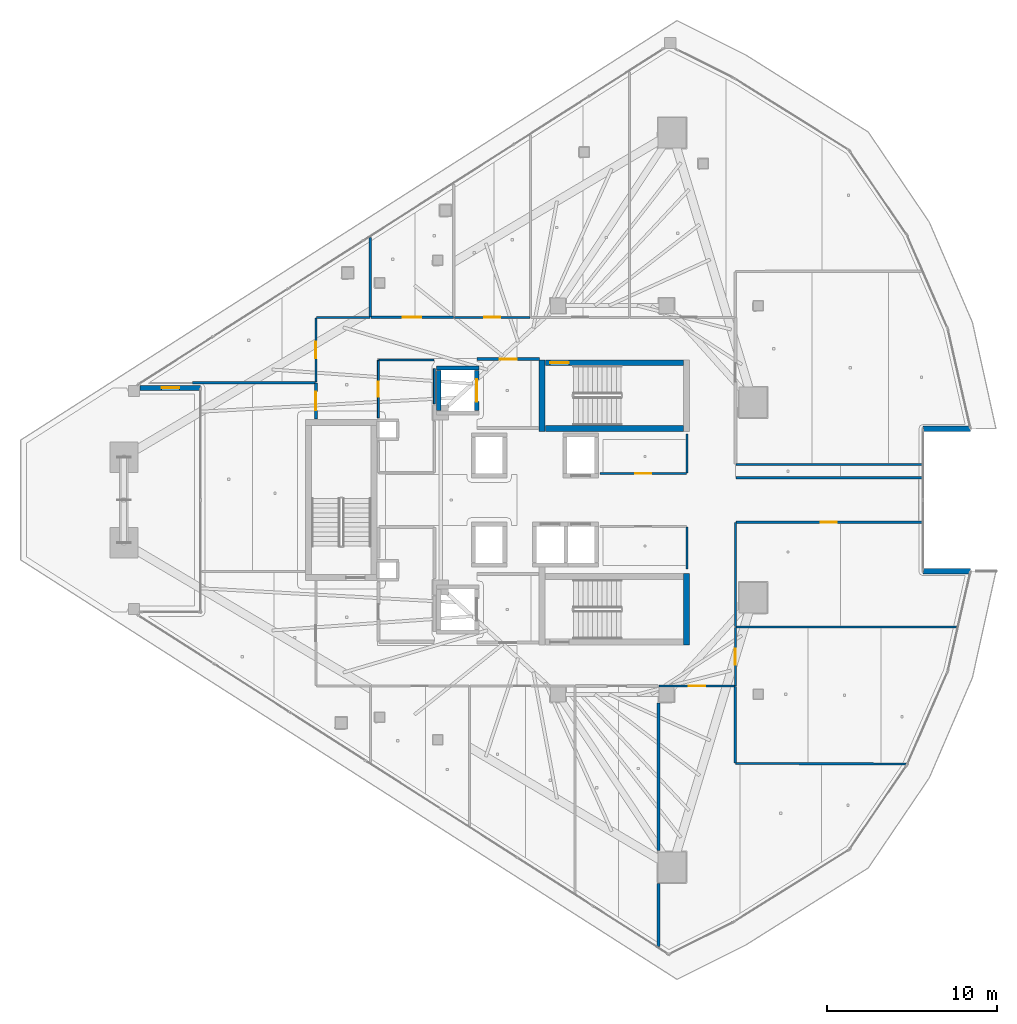
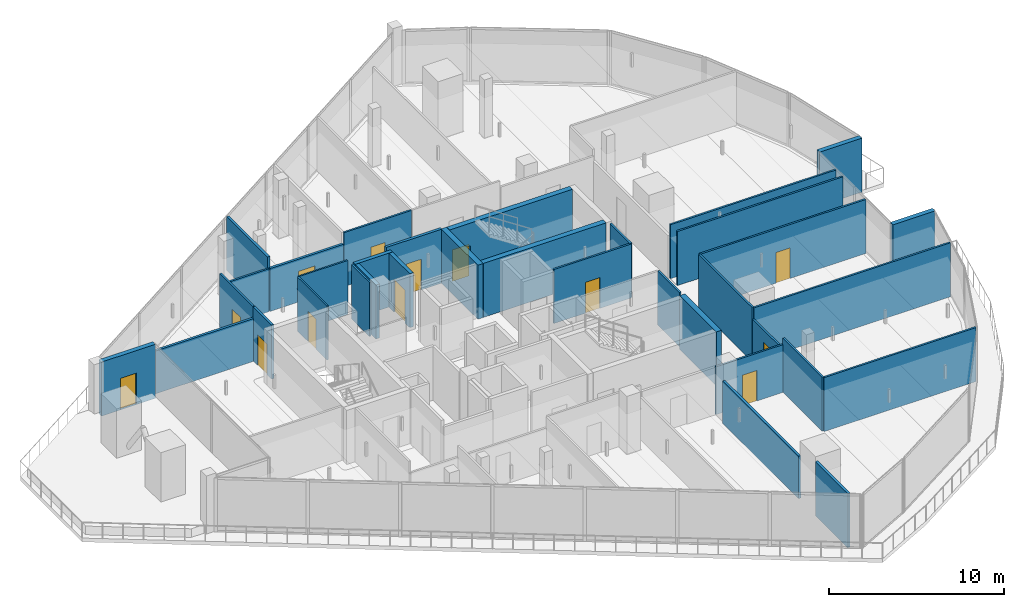
# One storey, part 27 of 36: 35 walls, 13 doors, 13 openings.
"""IFC4 building model written with IfcOpenShell, lengths in metres."""

from ifc_helpers import new_model, si_unit, direction, frame, frame_2d, origin, place, context, subcontext, project, spatial, rectangle, extrude, material, layer, layer_set, type_object, element, fill, save


model = new_model("IFC4")

# Units and contexts
model_context = context("Model", 3, precision=1e-05, world=origin(), true_north=direction((0.0, 1.0)))
body_context = subcontext(model_context, "Body", "Model", "MODEL_VIEW")
ifc_project = project(units=[si_unit("LENGTHUNIT", "METRE"), si_unit("AREAUNIT", "SQUARE_METRE"), si_unit("VOLUMEUNIT", "CUBIC_METRE"), si_unit("PLANEANGLEUNIT", "RADIAN"), si_unit("MASSUNIT", "GRAM", prefix="KILO")], contexts=[model_context])

# Site, building, storey
site_placement = place(None, origin())
site = spatial("IfcSite", under=ifc_project, at=site_placement, CompositionType="ELEMENT")
building_placement = place(site_placement, origin())
building = spatial("IfcBuilding", under=site, at=building_placement, Name="Qorvath Tower", CompositionType="ELEMENT")
storey_placement = place(building_placement, frame((0.0, 0.0, 229.35009765625)))
storey = spatial("IfcBuildingStorey", under=building, at=storey_placement, Name="L53", CompositionType="ELEMENT", Elevation=229.35009765625)

# Wall, opening, door
ifc_material_1 = material(Name="Gypsum shaftliner on steel studs", Category="steel")
ifc_layer_1 = layer(ifc_material_1, 0.179931640625)
ifc_layer_set_1 = layer_set([ifc_layer_1], Name="FW-LOBBY")
wall_type_1 = type_object("IfcWallType", Name="FW-LOBBY", PredefinedType="PARTITIONING", material=ifc_layer_set_1)
wall_1_placement = place(storey_placement, frame((-24.68408203125, 8.300048828125, 0.0), z_axis=(0.0, 0.0, 1.0), x_axis=(-1.0, 0.0, 0.0)))
wall_1 = element("IfcWall", 1, at=wall_1_placement, inside=storey, type_object=wall_type_1, Name="Interior Partition IW-T1-L53-002", PredefinedType="PARTITIONING", context=body_context, shape_type="SweptSolid", body=[
    extrude(rectangle(XDim=3.6708984375, YDim=0.179931640625, at=frame_2d((1.83544921875, 0.0))), origin(), (0.0, 0.0, 1.0), 3.77978515625),
])
opening_1_placement = place(wall_1_placement, frame((1.33544921875, 0.0, 0.0)))
opening_1 = element("IfcOpeningElement", 2, at=opening_1_placement, cuts=wall_1, Name="Opening D-T1-L53-19", PredefinedType="OPENING", context=body_context, shape_type="SweptSolid", body=[
    extrude(rectangle(XDim=1.0, YDim=2.14990234375, at=frame_2d((0.5, 1.074951171875))), frame((0.0, 0.10009765625, 0.0), z_axis=(0.0, -1.0, 0.0), x_axis=(1.0, 0.0, 0.0)), (0.0, 0.0, 1.0), 0.199951171875),
])
ifc_material_2 = material(Name="Painted galvanised hollow metal", Category="steel")
door_type_1 = type_object("IfcDoorType", Name="FD-60", OperationType="NOTDEFINED", PredefinedType="DOOR", material=ifc_material_2)
door_1_placement = place(opening_1_placement, origin())
door_1 = element("IfcDoor", 3, at=door_1_placement, inside=storey, type_object=door_type_1, Name="Lobby Fire Service Elevator North Door D-T1-L53-19", OperationType="SINGLE_SWING_RIGHT", OverallHeight=2.14990234375, OverallWidth=1.0, PredefinedType="DOOR", context=body_context, shape_type="SweptSolid", body=[
    extrude(rectangle(XDim=1.0, YDim=2.14990234375, at=frame_2d((0.5, 1.074951171875))), frame((0.0, 0.02490234375, 0.0), z_axis=(0.0, -1.0, 0.0), x_axis=(1.0, 0.0, 0.0)), (0.0, 0.0, 1.0), 0.050048828125),
])
fill(opening_1, door_1)

ifc_material_3 = material(Name="Double acoustic gypsum board on steel studs", Category="steel")
ifc_layer_2 = layer(ifc_material_3, 0.159912109375)
ifc_layer_set_2 = layer_set([ifc_layer_2], Name="IW-ACOUSTIC-160")
wall_type_2 = type_object("IfcWallType", Name="IW-ACOUSTIC-160", PredefinedType="PARTITIONING", material=ifc_layer_set_2)
wall_2_placement = place(storey_placement, frame((-34.625, 10.758056640625, 0.0), z_axis=(0.0, 0.0, 1.0), x_axis=(1.0, 0.0, 0.0)))
wall_2 = element("IfcWall", 4, at=wall_2_placement, inside=storey, type_object=wall_type_2, Name="Interior Partition IW-T1-L53-021", PredefinedType="PARTITIONING", context=body_context, shape_type="SweptSolid", body=[
    extrude(rectangle(XDim=4.861083984375, YDim=0.159912109375, at=frame_2d((2.4306640625, 0.0))), origin(), (0.0, 0.0, 1.0), 2.999755859375),
])
opening_2_placement = place(wall_2_placement, frame((1.880615234375, 0.0, 0.0)))
opening_2 = element("IfcOpeningElement", 5, at=opening_2_placement, cuts=wall_2, Name="Opening D-T1-L53-05", PredefinedType="OPENING", context=body_context, shape_type="SweptSolid", body=[
    extrude(rectangle(XDim=1.10009765625, YDim=2.14990234375, at=frame_2d((0.550048828125, 1.074951171875))), frame((0.0, 0.08984375, 0.0), z_axis=(0.0, -1.0, 0.0), x_axis=(1.0, 0.0, 0.0)), (0.0, 0.0, 1.0), 0.179931640625),
])
ifc_material_4 = material(Name="Anodised aluminium acoustic framed glass", Category="aluminium")
door_type_2 = type_object("IfcDoorType", Name="D-03", OperationType="NOTDEFINED", PredefinedType="DOOR", material=ifc_material_4)
door_2_placement = place(opening_2_placement, origin())
door_2 = element("IfcDoor", 6, at=door_2_placement, inside=storey, type_object=door_type_2, Name="L53-01 Client Services Office Door D-T1-L53-05", OperationType="SINGLE_SWING_RIGHT", OverallHeight=2.14990234375, OverallWidth=1.10009765625, PredefinedType="DOOR", context=body_context, shape_type="SweptSolid", body=[
    extrude(rectangle(XDim=1.10009765625, YDim=2.14990234375, at=frame_2d((0.550048828125, 1.074951171875))), frame((0.0, 0.02490234375, 0.0), z_axis=(0.0, -1.0, 0.0), x_axis=(1.0, 0.0, 0.0)), (0.0, 0.0, 1.0), 0.050048828125),
])
fill(opening_2, door_2)

# Walls
wall_3_placement = place(storey_placement, frame((-34.64990234375, 15.462158203125, 0.0), z_axis=(0.0, 0.0, 1.0), x_axis=(0.0, -1.0, 0.0)))
element("IfcWall", 7, at=wall_3_placement, inside=storey, type_object=wall_type_2, Name="Interior Partition IW-T1-L53-023", PredefinedType="PARTITIONING", context=body_context, shape_type="SweptSolid", body=[
    extrude(rectangle(XDim=4.678955078125, YDim=0.159912109375, at=frame_2d((2.33935546875, 0.0))), origin(), (0.0, 0.0, 1.0), 3.77978515625),
])
wall_4_placement = place(storey_placement, frame((-17.676025390625, -26.310791015625, 0.0), z_axis=(0.0, 0.0, 1.0), x_axis=(0.0, 1.0, 0.0)))
element("IfcWall", 8, at=wall_4_placement, inside=storey, type_object=wall_type_2, Name="Interior Partition IW-T1-L53-036", PredefinedType="PARTITIONING", context=body_context, shape_type="SweptSolid", body=[
    extrude(rectangle(XDim=3.71875, YDim=0.159912109375, at=frame_2d((1.859375, 0.0))), origin(), (0.0, 0.0, 1.0), 3.77978515625),
])
wall_5_placement = place(storey_placement, frame((-17.676025390625, -20.662109375, 0.0), z_axis=(0.0, 0.0, 1.0), x_axis=(0.0, 1.0, 0.0)))
element("IfcWall", 9, at=wall_5_placement, inside=storey, type_object=wall_type_2, Name="Interior Partition IW-T1-L53-037", PredefinedType="PARTITIONING", context=body_context, shape_type="SweptSolid", body=[
    extrude(rectangle(XDim=8.697021484375, YDim=0.159912109375, at=frame_2d((4.3486328125, 0.0))), origin(), (0.0, 0.0, 1.0), 2.976806640625),
])

# Wall, opening, door
wall_6_placement = place(storey_placement, frame((-37.85791015625, 4.783203125, 0.0), z_axis=(0.0, 0.0, 1.0), x_axis=(0.0, 1.0, 0.0)))
wall_6 = element("IfcWall", 10, at=wall_6_placement, inside=storey, type_object=wall_type_2, Name="Interior Partition IW-T1-L53-052", PredefinedType="PARTITIONING", context=body_context, shape_type="SweptSolid", body=[
    extrude(rectangle(XDim=2.102783203125, YDim=0.159912109375, at=frame_2d((1.05126953125, 0.0))), origin(), (0.0, 0.0, 1.0), 3.77978515625),
])
opening_3_placement = place(wall_6_placement, frame((0.50146484375, 0.0, 0.0)))
opening_3 = element("IfcOpeningElement", 11, at=opening_3_placement, cuts=wall_6, Name="Opening D-T1-L53-17", PredefinedType="OPENING", context=body_context, shape_type="SweptSolid", body=[
    extrude(rectangle(XDim=1.10009765625, YDim=2.14990234375, at=frame_2d((0.550048828125, 1.074951171875))), frame((0.0, 0.08984375, 0.0), z_axis=(0.0, -1.0, 0.0), x_axis=(1.0, 0.0, 0.0)), (0.0, 0.0, 1.0), 0.179931640625),
])
door_3_placement = place(opening_3_placement, origin())
door_3 = element("IfcDoor", 12, at=door_3_placement, inside=storey, type_object=door_type_2, Name="L53-13 Client Services Office Door D-T1-L53-17", OperationType="SINGLE_SWING_RIGHT", OverallHeight=2.14990234375, OverallWidth=1.10009765625, PredefinedType="DOOR", context=body_context, shape_type="SweptSolid", body=[
    extrude(rectangle(XDim=1.10009765625, YDim=2.14990234375, at=frame_2d((0.550048828125, 1.074951171875))), frame((0.0, 0.02490234375, 0.0), z_axis=(0.0, -1.0, 0.0), x_axis=(1.0, 0.0, 0.0)), (0.0, 0.0, 1.0), 0.050048828125),
])
fill(opening_3, door_3)

# Wall
wall_7_placement = place(storey_placement, frame((-37.8828125, 6.910888671875, 0.0), z_axis=(0.0, 0.0, 1.0), x_axis=(-1.0, 0.0, 0.0)))
element("IfcWall", 13, at=wall_7_placement, inside=storey, type_object=wall_type_2, Name="Interior Partition IW-T1-L53-053", PredefinedType="PARTITIONING", context=body_context, shape_type="SweptSolid", body=[
    extrude(rectangle(XDim=7.231201171875, YDim=0.159912109375, at=frame_2d((3.61572265625, 0.0))), origin(), (0.0, 0.0, 1.0), 2.999755859375),
])

# Wall, opening, door
ifc_material_5 = material(Name="Gypsum board on metal studs with mineral wool", Category="gypsum")
ifc_layer_3 = layer(ifc_material_5, 0.125)
ifc_layer_set_3 = layer_set([ifc_layer_3], Name="IW-PART-125")
wall_type_3 = type_object("IfcWallType", Name="IW-PART-125", PredefinedType="PARTITIONING", material=ifc_layer_set_3)
wall_8_placement = place(storey_placement, frame((-21.1337890625, 1.56005859375, 0.0), z_axis=(0.0, 0.0, 1.0), x_axis=(1.0, 0.0, 0.0)))
wall_8 = element("IfcWall", 14, at=wall_8_placement, inside=storey, type_object=wall_type_3, Name="Interior Partition IW-T1-L53-011", PredefinedType="PARTITIONING", context=body_context, shape_type="SweptSolid", body=[
    extrude(rectangle(XDim=5.10888671875, YDim=0.125, at=frame_2d((2.554443359375, 0.0))), origin(), (0.0, 0.0, 1.0), 3.77978515625),
])
opening_4_placement = place(wall_8_placement, frame((2.079345703125, 0.0, 0.0)))
opening_4 = element("IfcOpeningElement", 15, at=opening_4_placement, cuts=wall_8, Name="Opening D-T1-L53-02", PredefinedType="OPENING", context=body_context, shape_type="SweptSolid", body=[
    extrude(rectangle(XDim=0.949951171875, YDim=2.14990234375, at=frame_2d((0.47509765625, 1.074951171875))), frame((0.0, 0.072509765625, 0.0), z_axis=(0.0, -1.0, 0.0), x_axis=(1.0, 0.0, 0.0)), (0.0, 0.0, 1.0), 0.14501953125),
])
ifc_material_6 = material(Name="Solid-core American white oak veneer", Category="wood")
door_type_3 = type_object("IfcDoorType", Name="D-01", OperationType="NOTDEFINED", PredefinedType="DOOR", material=ifc_material_6)
door_4_placement = place(opening_4_placement, origin())
door_4 = element("IfcDoor", 16, at=door_4_placement, inside=storey, type_object=door_type_3, Name="L53-RCN North Quantitative Server Suite Door D-T1-L53-02", OperationType="SINGLE_SWING_LEFT", OverallHeight=2.14990234375, OverallWidth=0.949951171875, PredefinedType="DOOR", context=body_context, shape_type="SweptSolid", body=[
    extrude(rectangle(XDim=0.949951171875, YDim=2.14990234375, at=frame_2d((0.47509765625, 1.074951171875))), frame((0.0, 0.02490234375, 0.0), z_axis=(0.0, -1.0, 0.0), x_axis=(1.0, 0.0, 0.0)), (0.0, 0.0, 1.0), 0.050048828125),
])
fill(opening_4, door_4)

# Walls
wall_9_placement = place(storey_placement, frame((-16.0, 1.585205078125, 0.0), z_axis=(0.0, 0.0, 1.0), x_axis=(0.0, 1.0, 0.0)))
element("IfcWall", 17, at=wall_9_placement, inside=storey, type_object=wall_type_3, Name="Interior Partition IW-T1-L53-012", PredefinedType="PARTITIONING", context=body_context, shape_type="SweptSolid", body=[
    extrude(rectangle(XDim=2.30224609375, YDim=0.125, at=frame_2d((1.151123046875, 0.0))), origin(), (0.0, 0.0, 1.0), 3.77978515625),
])
wall_10_placement = place(storey_placement, frame((-16.0, -4.0751953125, 0.0), z_axis=(0.0, 0.0, 1.0), x_axis=(0.0, 1.0, 0.0)))
element("IfcWall", 18, at=wall_10_placement, inside=storey, type_object=wall_type_3, Name="Interior Partition IW-T1-L53-013", PredefinedType="PARTITIONING", context=body_context, shape_type="SweptSolid", body=[
    extrude(rectangle(XDim=2.489990234375, YDim=0.125, at=frame_2d((1.2451171875, 0.0))), origin(), (0.0, 0.0, 1.0), 3.77978515625),
])

# Wall, opening, door
wall_11_placement = place(storey_placement, frame((-29.7060546875, 10.758056640625, 0.0), z_axis=(0.0, 0.0, 1.0), x_axis=(1.0, 0.0, 0.0)))
wall_11 = element("IfcWall", 19, at=wall_11_placement, inside=storey, type_object=wall_type_3, Name="Interior Partition IW-T1-L53-024", PredefinedType="PARTITIONING", context=body_context, shape_type="SweptSolid", body=[
    extrude(rectangle(XDim=4.46826171875, YDim=0.125, at=frame_2d((2.234130859375, 0.0))), origin(), (0.0, 0.0, 1.0), 3.77978515625),
])
opening_5_placement = place(wall_11_placement, frame((1.759033203125, 0.0, 0.0)))
opening_5 = element("IfcOpeningElement", 20, at=opening_5_placement, cuts=wall_11, Name="Opening D-T1-L53-06", PredefinedType="OPENING", context=body_context, shape_type="SweptSolid", body=[
    extrude(rectangle(XDim=0.949951171875, YDim=2.14990234375, at=frame_2d((0.47509765625, 1.074951171875))), frame((0.0, 0.072509765625, 0.0), z_axis=(0.0, -1.0, 0.0), x_axis=(1.0, 0.0, 0.0)), (0.0, 0.0, 1.0), 0.14501953125),
])
door_5_placement = place(opening_5_placement, origin())
door_5 = element("IfcDoor", 21, at=door_5_placement, inside=storey, type_object=door_type_3, Name="L53-02 Project Collaboration Workspace Door D-T1-L53-06", OperationType="SINGLE_SWING_LEFT", OverallHeight=2.14990234375, OverallWidth=0.949951171875, PredefinedType="DOOR", context=body_context, shape_type="SweptSolid", body=[
    extrude(rectangle(XDim=0.949951171875, YDim=2.14990234375, at=frame_2d((0.47509765625, 1.074951171875))), frame((0.0, 0.02490234375, 0.0), z_axis=(0.0, -1.0, 0.0), x_axis=(1.0, 0.0, 0.0)), (0.0, 0.0, 1.0), 0.050048828125),
])
fill(opening_5, door_5)

# Walls
wall_12_placement = place(storey_placement, frame((-3.08837890625, -15.545166015625, 0.0), z_axis=(0.0, 0.0, 1.0), x_axis=(-0.999998671921, 0.001629771613, 0.0)))
element("IfcWall", 22, at=wall_12_placement, inside=storey, type_object=wall_type_3, Name="Interior Partition IW-T1-L53-039", PredefinedType="PARTITIONING", context=body_context, shape_type="SweptSolid", body=[
    extrude(rectangle(XDim=10.03662109375, YDim=0.125, at=frame_2d((5.018310546875, 0.0))), origin(), (0.0, 0.0, 1.0), 3.77978515625),
])
wall_13_placement = place(storey_placement, frame((-13.14990234375, -10.98291015625, 0.0), z_axis=(0.0, 0.0, 1.0), x_axis=(0.0, -1.0, 0.0)))
element("IfcWall", 23, at=wall_13_placement, inside=storey, type_object=wall_type_3, Name="Interior Partition IW-T1-L53-040", PredefinedType="PARTITIONING", context=body_context, shape_type="SweptSolid", body=[
    extrude(rectangle(XDim=4.52099609375, YDim=0.125, at=frame_2d((2.260498046875, 0.0))), origin(), (0.0, 0.0, 1.0), 3.77978515625),
])

# Wall, opening, door
wall_14_placement = place(storey_placement, frame((-13.1748046875, -10.9580078125, 0.0), z_axis=(0.0, 0.0, 1.0), x_axis=(-1.0, 0.0, 0.0)))
wall_14 = element("IfcWall", 24, at=wall_14_placement, inside=storey, type_object=wall_type_3, Name="Interior Partition IW-T1-L53-041", PredefinedType="PARTITIONING", context=body_context, shape_type="SweptSolid", body=[
    extrude(rectangle(XDim=4.46826171875, YDim=0.125, at=frame_2d((2.234130859375, 0.0))), origin(), (0.0, 0.0, 1.0), 3.343994140625),
])
opening_6_placement = place(wall_14_placement, frame((1.759033203125, 0.0, 0.0)))
opening_6 = element("IfcOpeningElement", 25, at=opening_6_placement, cuts=wall_14, Name="Opening D-T1-L53-12", PredefinedType="OPENING", context=body_context, shape_type="SweptSolid", body=[
    extrude(rectangle(XDim=0.949951171875, YDim=2.14990234375, at=frame_2d((0.47509765625, 1.074951171875))), frame((0.0, 0.072509765625, 0.0), z_axis=(0.0, -1.0, 0.0), x_axis=(1.0, 0.0, 0.0)), (0.0, 0.0, 1.0), 0.14501953125),
])
door_6_placement = place(opening_6_placement, origin())
door_6 = element("IfcDoor", 26, at=door_6_placement, inside=storey, type_object=door_type_3, Name="L53-08 Quantitative Research Studio Door D-T1-L53-12", OperationType="SINGLE_SWING_LEFT", OverallHeight=2.14990234375, OverallWidth=0.949951171875, PredefinedType="DOOR", context=body_context, shape_type="SweptSolid", body=[
    extrude(rectangle(XDim=0.949951171875, YDim=2.14990234375, at=frame_2d((0.47509765625, 1.074951171875))), frame((0.0, 0.02490234375, 0.0), z_axis=(0.0, -1.0, 0.0), x_axis=(1.0, 0.0, 0.0)), (0.0, 0.0, 1.0), 0.050048828125),
])
fill(opening_6, door_6)

# Wall
wall_15_placement = place(storey_placement, frame((-0.114990234375, -7.480712890625, 0.0), z_axis=(0.0, 0.0, 1.0), x_axis=(-1.0, 0.0, 0.0)))
element("IfcWall", 27, at=wall_15_placement, inside=storey, type_object=wall_type_3, Name="Interior Partition IW-T1-L53-042", PredefinedType="PARTITIONING", context=body_context, shape_type="SweptSolid", body=[
    extrude(rectangle(XDim=13.002197265625, YDim=0.125, at=frame_2d((6.5009765625, 0.0))), origin(), (0.0, 0.0, 1.0), 3.77978515625),
])

# Wall, opening, door
wall_16_placement = place(storey_placement, frame((-13.14208984375, -7.505615234375, 0.0), z_axis=(0.0, 0.0, 1.0), x_axis=(0.0, -1.0, 0.0)))
wall_16 = element("IfcWall", 28, at=wall_16_placement, inside=storey, type_object=wall_type_3, Name="Interior Partition IW-T1-L53-043", PredefinedType="PARTITIONING", context=body_context, shape_type="SweptSolid", body=[
    extrude(rectangle(XDim=3.452392578125, YDim=0.125, at=frame_2d((1.72607421875, 0.0))), origin(), (0.0, 0.0, 1.0), 2.999755859375),
])
opening_7_placement = place(wall_16_placement, frame((1.251220703125, 0.0, 0.0)))
opening_7 = element("IfcOpeningElement", 29, at=opening_7_placement, cuts=wall_16, Name="Opening D-T1-L53-13", PredefinedType="OPENING", context=body_context, shape_type="SweptSolid", body=[
    extrude(rectangle(XDim=0.949951171875, YDim=2.14990234375, at=frame_2d((0.47509765625, 1.074951171875))), frame((0.0, 0.072509765625, 0.0), z_axis=(0.0, -1.0, 0.0), x_axis=(1.0, 0.0, 0.0)), (0.0, 0.0, 1.0), 0.14501953125),
])
door_7_placement = place(opening_7_placement, origin())
door_7 = element("IfcDoor", 30, at=door_7_placement, inside=storey, type_object=door_type_3, Name="L53-09 Engineering Documentation Suite Door D-T1-L53-13", OperationType="SINGLE_SWING_RIGHT", OverallHeight=2.14990234375, OverallWidth=0.949951171875, PredefinedType="DOOR", context=body_context, shape_type="SweptSolid", body=[
    extrude(rectangle(XDim=0.949951171875, YDim=2.14990234375, at=frame_2d((0.47509765625, 1.074951171875))), frame((0.0, 0.02490234375, 0.0), z_axis=(0.0, -1.0, 0.0), x_axis=(1.0, 0.0, 0.0)), (0.0, 0.0, 1.0), 0.050048828125),
])
fill(opening_7, door_7)

# Walls
for number, where, z_axis, x_axis, name in (
    (31, (-2.16455078125, 2.095458984375, 0.0), (0.0, 0.0, 1.0), (-1.0, 0.0, 0.0), "Interior Partition IW-T1-L53-044"),
    (32, (-2.16455078125, 1.30810546875, 0.0), (0.0, 0.0, 1.0), (-1.0, 0.0, 0.0), "Interior Partition IW-T1-L53-045"),
):
    element("IfcWall", number, at=place(storey_placement, frame(where, z_axis=z_axis, x_axis=x_axis)), inside=storey, type_object=wall_type_3, Name=name, PredefinedType="PARTITIONING", context=body_context, shape_type="SweptSolid", body=[
        extrude(rectangle(XDim=10.95263671875, YDim=0.125, at=frame_2d((5.476318359375, 0.0))), origin(), (0.0, 0.0, 1.0), 3.77978515625),
    ])

# Wall, opening, door
wall_17_placement = place(storey_placement, frame((-2.16455078125, -1.30810546875, 0.0), z_axis=(0.0, 0.0, 1.0), x_axis=(-1.0, 0.0, 0.0)))
wall_17 = element("IfcWall", 33, at=wall_17_placement, inside=storey, type_object=wall_type_3, Name="Interior Partition IW-T1-L53-046", PredefinedType="PARTITIONING", context=body_context, shape_type="SweptSolid", body=[
    extrude(rectangle(XDim=10.95263671875, YDim=0.125, at=frame_2d((5.476318359375, 0.0))), origin(), (0.0, 0.0, 1.0), 3.77978515625),
])
opening_8_placement = place(wall_17_placement, frame((5.001220703125, 0.0, 0.0)))
opening_8 = element("IfcOpeningElement", 34, at=opening_8_placement, cuts=wall_17, Name="Opening D-T1-L53-14", PredefinedType="OPENING", context=body_context, shape_type="SweptSolid", body=[
    extrude(rectangle(XDim=0.949951171875, YDim=2.14990234375, at=frame_2d((0.47509765625, 1.074951171875))), frame((0.0, 0.072509765625, 0.0), z_axis=(0.0, -1.0, 0.0), x_axis=(1.0, 0.0, 0.0)), (0.0, 0.0, 1.0), 0.14501953125),
])
door_8_placement = place(opening_8_placement, origin())
door_8 = element("IfcDoor", 35, at=door_8_placement, inside=storey, type_object=door_type_3, Name="L53-10 Open Workplace Studio Door D-T1-L53-14", OperationType="SINGLE_SWING_LEFT", OverallHeight=2.14990234375, OverallWidth=0.949951171875, PredefinedType="DOOR", context=body_context, shape_type="SweptSolid", body=[
    extrude(rectangle(XDim=0.949951171875, YDim=2.14990234375, at=frame_2d((0.47509765625, 1.074951171875))), frame((0.0, 0.02490234375, 0.0), z_axis=(0.0, -1.0, 0.0), x_axis=(1.0, 0.0, 0.0)), (0.0, 0.0, 1.0), 0.050048828125),
])
fill(opening_8, door_8)

# Wall
wall_18_placement = place(storey_placement, frame((-13.14208984375, -1.3330078125, 0.0), z_axis=(0.0, 0.0, 1.0), x_axis=(0.0, -1.0, 0.0)))
element("IfcWall", 36, at=wall_18_placement, inside=storey, type_object=wall_type_3, Name="Interior Partition IW-T1-L53-047", PredefinedType="PARTITIONING", context=body_context, shape_type="SweptSolid", body=[
    extrude(rectangle(XDim=6.114990234375, YDim=0.125, at=frame_2d((3.0576171875, 0.0))), origin(), (0.0, 0.0, 1.0), 3.77978515625),
])

# Wall, opening, door
wall_19_placement = place(storey_placement, frame((-37.85791015625, 6.943603515625, 0.0), z_axis=(0.0, 0.0, 1.0), x_axis=(0.0, 1.0, 0.0)))
wall_19 = element("IfcWall", 37, at=wall_19_placement, inside=storey, type_object=wall_type_3, Name="Interior Partition IW-T1-L53-054", PredefinedType="PARTITIONING", context=body_context, shape_type="SweptSolid", body=[
    extrude(rectangle(XDim=3.78955078125, YDim=0.125, at=frame_2d((1.894775390625, 0.0))), origin(), (0.0, 0.0, 1.0), 3.77978515625),
])
opening_9_placement = place(wall_19_placement, frame((1.419921875, 0.0, 0.0)))
opening_9 = element("IfcOpeningElement", 38, at=opening_9_placement, cuts=wall_19, Name="Opening D-T1-L53-18", PredefinedType="OPENING", context=body_context, shape_type="SweptSolid", body=[
    extrude(rectangle(XDim=0.949951171875, YDim=2.14990234375, at=frame_2d((0.47509765625, 1.074951171875))), frame((0.0, 0.072509765625, 0.0), z_axis=(0.0, -1.0, 0.0), x_axis=(1.0, 0.0, 0.0)), (0.0, 0.0, 1.0), 0.14501953125),
])
door_9_placement = place(opening_9_placement, origin())
door_9 = element("IfcDoor", 39, at=door_9_placement, inside=storey, type_object=door_type_3, Name="L53-14 Project Collaboration Workspace Door D-T1-L53-18", OperationType="SINGLE_SWING_LEFT", OverallHeight=2.14990234375, OverallWidth=0.949951171875, PredefinedType="DOOR", context=body_context, shape_type="SweptSolid", body=[
    extrude(rectangle(XDim=0.949951171875, YDim=2.14990234375, at=frame_2d((0.47509765625, 1.074951171875))), frame((0.0, 0.02490234375, 0.0), z_axis=(0.0, -1.0, 0.0), x_axis=(1.0, 0.0, 0.0)), (0.0, 0.0, 1.0), 0.050048828125),
])
fill(opening_9, door_9)

# Walls
wall_20_placement = place(storey_placement, frame((-34.68310546875, 10.758056640625, 0.0), z_axis=(0.0, 0.0, 1.0), x_axis=(-1.0, 0.0, 0.0)))
element("IfcWall", 40, at=wall_20_placement, inside=storey, type_object=wall_type_3, Name="Interior Partition IW-T1-L53-055", PredefinedType="PARTITIONING", context=body_context, shape_type="SweptSolid", body=[
    extrude(rectangle(XDim=3.14990234375, YDim=0.125, at=frame_2d((1.574951171875, 0.0))), origin(), (0.0, 0.0, 1.0), 2.999755859375),
])
ifc_material_7 = material(Name="Moisture-resistant cement board on metal studs", Category="gypsum")
ifc_layer_4 = layer(ifc_material_7, 0.110107421875)
ifc_layer_set_4 = layer_set([ifc_layer_4], Name="IW-WC-110")
wall_type_4 = type_object("IfcWallType", Name="IW-WC-110", PredefinedType="PARTITIONING", material=ifc_layer_set_4)
wall_21_placement = place(storey_placement, frame((-30.8798828125, 5.6650390625, 0.0), z_axis=(0.0, 0.0, 1.0), x_axis=(0.0, 1.0, 0.0)))
element("IfcWall", 41, at=wall_21_placement, inside=storey, type_object=wall_type_4, Name="Interior Partition IW-T1-L53-007", PredefinedType="PARTITIONING", context=body_context, shape_type="SweptSolid", body=[
    extrude(rectangle(XDim=2.077880859375, YDim=0.110107421875, at=frame_2d((1.0390625, 0.0))), origin(), (0.0, 0.0, 1.0), 3.77978515625),
])
wall_22_placement = place(storey_placement, frame((-30.90478515625, 8.25, 0.0), z_axis=(0.0, 0.0, 1.0), x_axis=(-1.0, 0.0, 0.0)))
element("IfcWall", 42, at=wall_22_placement, inside=storey, type_object=wall_type_4, Name="Interior Partition IW-T1-L53-008", PredefinedType="PARTITIONING", context=body_context, shape_type="SweptSolid", body=[
    extrude(rectangle(XDim=3.25, YDim=0.110107421875, at=frame_2d((1.625, 0.0))), origin(), (0.0, 0.0, 1.0), 3.77978515625),
])

# Wall, opening, door
wall_23_placement = place(storey_placement, frame((-34.179931640625, 8.22509765625, 0.0), z_axis=(0.0, 0.0, 1.0), x_axis=(0.0, -1.0, 0.0)))
wall_23 = element("IfcWall", 43, at=wall_23_placement, inside=storey, type_object=wall_type_4, Name="Interior Partition IW-T1-L53-009", PredefinedType="PARTITIONING", context=body_context, shape_type="SweptSolid", body=[
    extrude(rectangle(XDim=3.385009765625, YDim=0.110107421875, at=frame_2d((1.6923828125, 0.0))), origin(), (0.0, 0.0, 1.0), 3.77978515625),
])
opening_10_placement = place(wall_23_placement, frame((1.25244140625, 0.0, 0.0)))
opening_10 = element("IfcOpeningElement", 44, at=opening_10_placement, cuts=wall_23, Name="Opening D-T1-L53-01", PredefinedType="OPENING", context=body_context, shape_type="SweptSolid", body=[
    extrude(rectangle(XDim=0.8798828125, YDim=2.10009765625, at=frame_2d((0.43994140625, 1.050048828125))), frame((0.0, 0.06494140625, 0.0), z_axis=(0.0, -1.0, 0.0), x_axis=(1.0, 0.0, 0.0)), (0.0, 0.0, 1.0), 0.130126953125),
])
ifc_material_8 = material(Name="Solid-core oak with acoustic drop seal", Category="wood")
door_type_4 = type_object("IfcDoorType", Name="D-02", OperationType="NOTDEFINED", PredefinedType="DOOR", material=ifc_material_8)
door_10_placement = place(opening_10_placement, origin())
door_10 = element("IfcDoor", 45, at=door_10_placement, inside=storey, type_object=door_type_4, Name="Accessible WC North L53 Door D-T1-L53-01", OperationType="SINGLE_SWING_RIGHT", OverallHeight=2.10009765625, OverallWidth=0.8798828125, PredefinedType="DOOR", context=body_context, shape_type="SweptSolid", body=[
    extrude(rectangle(XDim=0.8798828125, YDim=2.10009765625, at=frame_2d((0.43994140625, 1.050048828125))), frame((0.0, 0.02490234375, 0.0), z_axis=(0.0, -1.0, 0.0), x_axis=(1.0, 0.0, 0.0)), (0.0, 0.0, 1.0), 0.050048828125),
])
fill(opening_10, door_10)

# Walls
ifc_material_9 = material(Name="Concrete C60/75", Category="concrete")
ifc_layer_5 = layer(ifc_material_9, 0.260009765625)
ifc_layer_set_5 = layer_set([ifc_layer_5], Name="SW-SHAFT")
wall_type_5 = type_object("IfcWallType", Name="SW-SHAFT", PredefinedType="SHEAR", material=ifc_layer_set_5)
wall_24_placement = place(storey_placement, frame((-30.739990234375, 7.77001953125, 0.0), z_axis=(0.0, 0.0, 1.0), x_axis=(1.0, 0.0, 0.0)))
element("IfcWall", 46, at=wall_24_placement, inside=storey, type_object=wall_type_5, Name="Hoistway Wall FSAE-1 L53 N", PredefinedType="SHEAR", context=body_context, shape_type="SweptSolid", body=[
    extrude(rectangle(XDim=2.47998046875, YDim=0.239990234375, at=frame_2d((1.239990234375, 0.0))), origin(), (0.0, 0.0, 1.0), 3.77978515625),
])
wall_25_placement = place(storey_placement, frame((-30.6201171875, 5.261962890625, 0.0), z_axis=(0.0, 0.0, 1.0), x_axis=(0.0, 1.0, 0.0)))
element("IfcWall", 47, at=wall_25_placement, inside=storey, type_object=wall_type_5, Name="Hoistway Wall FSAE-1 L53 W", PredefinedType="SHEAR", context=body_context, shape_type="SweptSolid", body=[
    extrude(rectangle(XDim=2.3759765625, YDim=0.239990234375, at=frame_2d((1.18798828125, 0.0))), origin(), (0.0, 0.0, 1.0), 3.77978515625),
])

# Wall, opening, door
wall_26_placement = place(storey_placement, frame((-28.3798828125, 7.637939453125, 0.0), z_axis=(0.0, 0.0, 1.0), x_axis=(0.0, -1.0, 0.0)))
wall_26 = element("IfcWall", 48, at=wall_26_placement, inside=storey, type_object=wall_type_5, Name="Hoistway Wall FSAE-1 L53 E", PredefinedType="SHEAR", context=body_context, shape_type="SweptSolid", body=[
    extrude(rectangle(XDim=2.3759765625, YDim=0.239990234375, at=frame_2d((1.18798828125, 0.0))), origin(), (0.0, 0.0, 1.0), 3.77978515625),
])
opening_11_placement = place(wall_26_placement, frame((0.537841796875, 0.0, 0.0)))
opening_11 = element("IfcOpeningElement", 49, at=opening_11_placement, cuts=wall_26, Name="Opening LD-FSAE-1-L53", PredefinedType="OPENING", context=body_context, shape_type="SweptSolid", body=[
    extrude(rectangle(XDim=1.300048828125, YDim=2.300048828125, at=frame_2d((0.64990234375, 1.14990234375))), frame((0.0, 0.1298828125, 0.0), z_axis=(0.0, -1.0, 0.0), x_axis=(1.0, 0.0, 0.0)), (0.0, 0.0, 1.0), 0.260009765625),
])
ifc_material_10 = material(Name="Brushed stainless steel AISI 316", Category="steel")
door_type_5 = type_object("IfcDoorType", Name="LD-02", OperationType="NOTDEFINED", PredefinedType="DOOR", material=ifc_material_10)
door_11_placement = place(opening_11_placement, origin())
door_11 = element("IfcDoor", 50, at=door_11_placement, inside=storey, type_object=door_type_5, Name="Elevator Landing Sliding Door LD-FSAE-1-L53", OperationType="DOUBLE_DOOR_SLIDING", OverallHeight=2.300048828125, OverallWidth=1.300048828125, PredefinedType="DOOR", context=body_context, shape_type="SweptSolid", body=[
    extrude(rectangle(XDim=1.300048828125, YDim=2.300048828125, at=frame_2d((0.64990234375, 1.14990234375))), frame((0.0, 0.02490234375, 0.0), z_axis=(0.0, -1.0, 0.0), x_axis=(1.0, 0.0, 0.0)), (0.0, 0.0, 1.0), 0.050048828125),
])
fill(opening_11, door_11)

# Walls
ifc_material_11 = material(Name="Concrete C60/75", Category="concrete")
ifc_layer_6 = layer(ifc_material_11, 0.35009765625)
ifc_layer_set_6 = layer_set([ifc_layer_6], Name="SW-STAIR")
wall_type_6 = type_object("IfcWallType", Name="SW-STAIR", PredefinedType="SHEAR", material=ifc_layer_set_6)
wall_27_placement = place(storey_placement, frame((-24.52490234375, 8.260009765625, 0.0), z_axis=(0.0, 0.0, 1.0), x_axis=(0.0, -1.0, 0.0)))
element("IfcWall", 51, at=wall_27_placement, inside=storey, type_object=wall_type_6, Name="Stair TS1 Shear Wall L53 NEAR", PredefinedType="SHEAR", context=body_context, shape_type="SweptSolid", body=[
    extrude(rectangle(XDim=4.2099609375, YDim=0.35009765625, at=frame_2d((2.10498046875, 0.0))), origin(), (0.0, 0.0, 1.0), 3.77978515625),
])
wall_28_placement = place(storey_placement, frame((-24.3349609375, 4.22509765625, 0.0), z_axis=(0.0, 0.0, 1.0), x_axis=(1.0, 0.0, 0.0)))
element("IfcWall", 52, at=wall_28_placement, inside=storey, type_object=wall_type_6, Name="Stair TS1 Shear Wall L53 LEFT", PredefinedType="SHEAR", context=body_context, shape_type="SweptSolid", body=[
    extrude(rectangle(XDim=8.119873046875, YDim=0.35009765625, at=frame_2d((4.06005859375, 0.0))), origin(), (0.0, 0.0, 1.0), 3.77978515625),
])

# Wall, opening, door
wall_29_placement = place(storey_placement, frame((-16.215087890625, 8.0849609375, 0.0), z_axis=(0.0, 0.0, 1.0), x_axis=(-1.0, 0.0, 0.0)))
wall_29 = element("IfcWall", 53, at=wall_29_placement, inside=storey, type_object=wall_type_6, Name="Stair TS1 Shear Wall L53 RIGHT", PredefinedType="SHEAR", context=body_context, shape_type="SweptSolid", body=[
    extrude(rectangle(XDim=8.119873046875, YDim=0.35009765625, at=frame_2d((4.06005859375, 0.0))), origin(), (0.0, 0.0, 1.0), 3.77978515625),
])
opening_12_placement = place(wall_29_placement, frame((6.739990234375, 0.0, 0.0)))
opening_12 = element("IfcOpeningElement", 54, at=opening_12_placement, cuts=wall_29, Name="Opening D-TS1-L53", PredefinedType="OPENING", context=body_context, shape_type="SweptSolid", body=[
    extrude(rectangle(XDim=1.10009765625, YDim=2.199951171875, at=frame_2d((0.550048828125, 1.10009765625))), frame((0.0, 0.18505859375, 0.0), z_axis=(0.0, -1.0, 0.0), x_axis=(1.0, 0.0, 0.0)), (0.0, 0.0, 1.0), 0.3701171875),
])
ifc_material_12 = material(Name="Painted galvanised hollow metal", Category="steel")
door_type_6 = type_object("IfcDoorType", Name="FD-90", OperationType="NOTDEFINED", PredefinedType="DOOR", material=ifc_material_12)
door_12_placement = place(opening_12_placement, origin())
door_12 = element("IfcDoor", 55, at=door_12_placement, inside=storey, type_object=door_type_6, Name="Stair TS1 Fire Door L53", OperationType="SINGLE_SWING_RIGHT", OverallHeight=2.199951171875, OverallWidth=1.10009765625, PredefinedType="DOOR", context=body_context, shape_type="SweptSolid", body=[
    extrude(rectangle(XDim=1.10009765625, YDim=2.199951171875, at=frame_2d((0.550048828125, 1.10009765625))), frame((0.0, 0.02490234375, 0.0), z_axis=(0.0, -1.0, 0.0), x_axis=(1.0, 0.0, 0.0)), (0.0, 0.0, 1.0), 0.050048828125),
])
fill(opening_12, door_12)

# Wall
wall_30_placement = place(storey_placement, frame((-16.02490234375, -8.550048828125, 0.0), z_axis=(0.0, 0.0, 1.0), x_axis=(0.0, 1.0, 0.0)))
element("IfcWall", 56, at=wall_30_placement, inside=storey, type_object=wall_type_6, Name="Stair TS2 Shear Wall L53 FAR", PredefinedType="SHEAR", context=body_context, shape_type="SweptSolid", body=[
    extrude(rectangle(XDim=4.2099609375, YDim=0.35009765625, at=frame_2d((2.10498046875, 0.0))), origin(), (0.0, 0.0, 1.0), 3.77978515625),
])

# Wall, opening, door
ifc_material_13 = material(Name="Precast concrete C45/55", Category="concrete")
ifc_layer_7 = layer(ifc_material_13, 0.300048828125)
ifc_layer_set_7 = layer_set([ifc_layer_7], Name="WL-EW-LOG-300")
wall_type_7 = type_object("IfcWallType", Name="WL-EW-LOG-300", PredefinedType="SOLIDWALL", material=ifc_layer_set_7)
wall_31_placement = place(storey_placement, frame((-48.20849609375, 6.6044921875, 0.0), z_axis=(0.0, 0.0, 1.0), x_axis=(1.0, 0.0, 0.0)))
wall_31 = element("IfcWall", 57, at=wall_31_placement, inside=storey, type_object=wall_type_7, Name="Tower Precast Loggia Wall L53-1.1", PredefinedType="SOLIDWALL", context=body_context, shape_type="SweptSolid", body=[
    extrude(rectangle(XDim=3.560546875, YDim=0.300048828125, at=frame_2d((1.7802734375, 0.0))), origin(), (0.0, 0.0, 1.0), 3.77978515625),
])
opening_13_placement = place(wall_31_placement, frame((1.25537109375, 0.0, 0.0)))
opening_13 = element("IfcOpeningElement", 58, at=opening_13_placement, cuts=wall_31, Name="Opening ED-L53-01", PredefinedType="OPENING", context=body_context, shape_type="SweptSolid", body=[
    extrude(rectangle(XDim=1.050048828125, YDim=2.199951171875, at=frame_2d((0.52490234375, 1.10009765625))), frame((0.0, 0.16015625, 0.0), z_axis=(0.0, -1.0, 0.0), x_axis=(1.0, 0.0, 0.0)), (0.0, 0.0, 1.0), 0.320068359375),
])
ifc_material_14 = material(Name="Thermally broken aluminium glazed door", Category="aluminium")
door_type_7 = type_object("IfcDoorType", Name="ED-LOG", OperationType="NOTDEFINED", PredefinedType="DOOR", material=ifc_material_14)
door_13_placement = place(opening_13_placement, origin())
door_13 = element("IfcDoor", 59, at=door_13_placement, inside=storey, type_object=door_type_7, Name="L53 Recessed Loggia Access Door 1", OperationType="SINGLE_SWING_RIGHT", OverallHeight=2.199951171875, OverallWidth=1.050048828125, PredefinedType="DOOR", context=body_context, shape_type="SweptSolid", body=[
    extrude(rectangle(XDim=1.050048828125, YDim=2.199951171875, at=frame_2d((0.52490234375, 1.10009765625))), frame((0.0, 0.02490234375, 0.0), z_axis=(0.0, -1.0, 0.0), x_axis=(1.0, 0.0, 0.0)), (0.0, 0.0, 1.0), 0.050048828125),
])
fill(opening_13, door_13)

# Walls
for number, where, z_axis, x_axis, name in (
    (60, (0.712646484375, -4.19580078125, 0.0), (0.0, 0.0, 1.0), (-1.0, 0.0, 0.0), "Tower Precast Loggia Wall L53-10.1"),
    (61, (-2.08447265625, 4.19580078125, 0.0), (0.0, 0.0, 1.0), (1.0, 0.0, 0.0), "Tower Precast Loggia Wall L53-12.1"),
):
    element("IfcWall", number, at=place(storey_placement, frame(where, z_axis=z_axis, x_axis=x_axis)), inside=storey, type_object=wall_type_7, Name=name, PredefinedType="SOLIDWALL", context=body_context, shape_type="SweptSolid", body=[
        extrude(rectangle(XDim=2.797119140625, YDim=0.300048828125, at=frame_2d((1.3984375, 0.0))), origin(), (0.0, 0.0, 1.0), 3.77978515625),
    ])

save(model, "model.ifc")
